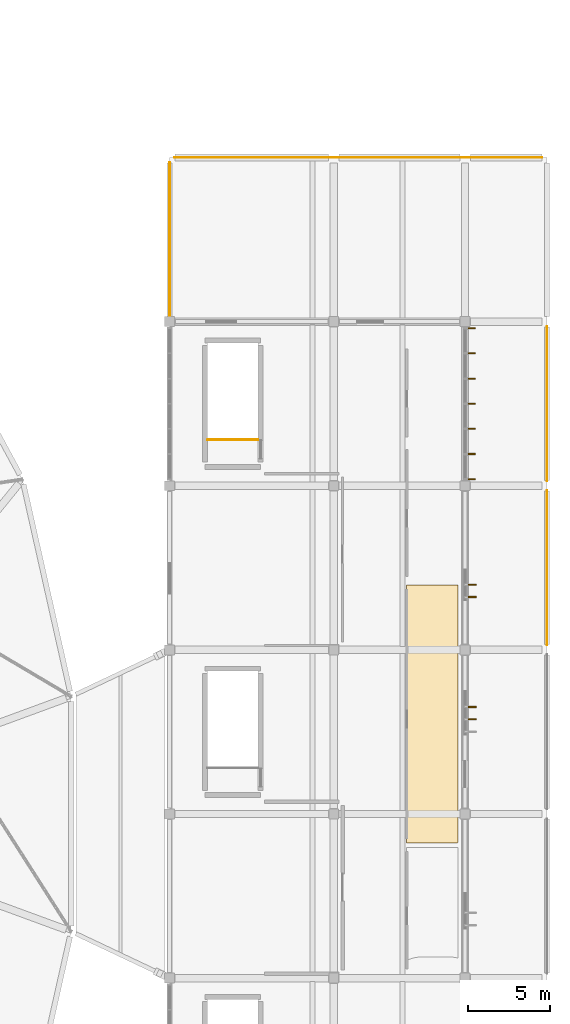
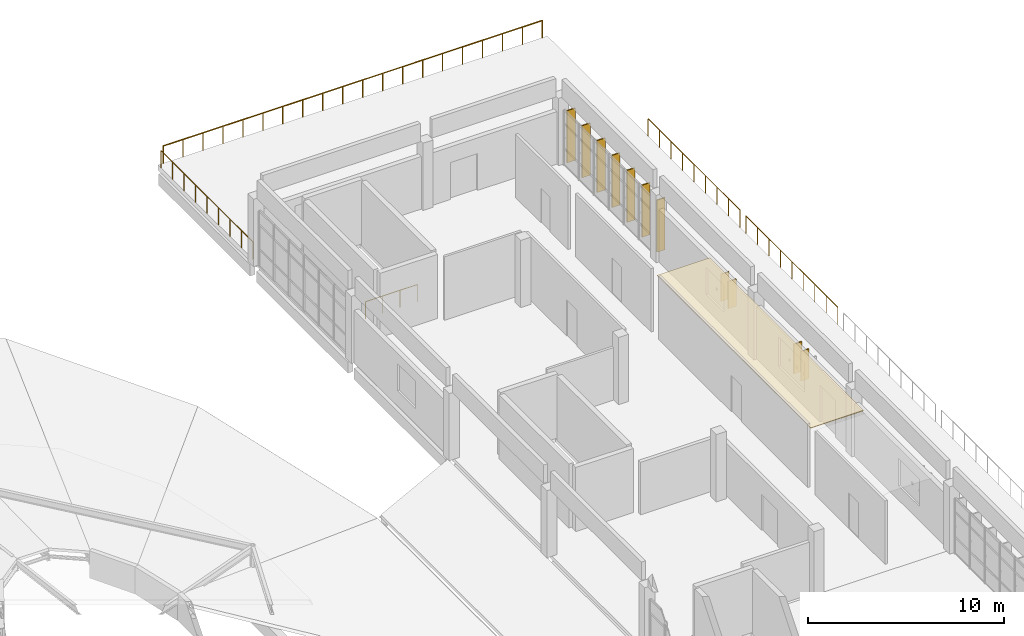
# One storey, part 39 of 39: 11 shading devices, 5 railings, 1 covering.
"""IFC4 building model written with IfcOpenShell, lengths in metres."""

from ifc_helpers import new_model, si_unit, direction, frame, origin, origin_2d, place, context, subcontext, project, spatial, polyline, rectangle, circle, outline, extrude, material, layer, layer_set, type_object, element, save


model = new_model("IFC4")

# Units and contexts
model_context = context("Model", 3, precision=1e-05, world=origin(), true_north=direction((0.0, 1.0)))
body_context = subcontext(model_context, "Body", "Model", "MODEL_VIEW")
ifc_project = project(units=[si_unit("LENGTHUNIT", "METRE"), si_unit("AREAUNIT", "SQUARE_METRE"), si_unit("VOLUMEUNIT", "CUBIC_METRE"), si_unit("PLANEANGLEUNIT", "RADIAN"), si_unit("MASSUNIT", "GRAM", prefix="KILO")], contexts=[model_context])

# Site, building, storey
site_placement = place(None, origin())
site = spatial("IfcSite", under=ifc_project, at=site_placement, CompositionType="ELEMENT")
building_placement = place(site_placement, origin())
building = spatial("IfcBuilding", under=site, at=building_placement, Name="Corvandel Quay Wholesale Market", CompositionType="ELEMENT")
storey_placement = place(building_placement, frame((0.0, 0.0, 15.0)))
storey = spatial("IfcBuildingStorey", under=building, at=storey_placement, Name="L03", CompositionType="ELEMENT", Elevation=15.0)

# Railings
ifc_material_1 = material(Name="Hot-dip galvanised painted steel", Category="steel")
ifc_layer_1 = layer(ifc_material_1, 0.06005859375)
ifc_layer_set_1 = layer_set([ifc_layer_1], Name="Hot-dip galvanised painted steel")
railing_type_1 = type_object("IfcRailingType", Name="Galvanised Steel Guard Balustrade GR01 1100mm", PredefinedType="BALUSTRADE", material=ifc_layer_set_1)
for number, where, name in (
    (1, (243.0, 70.300048828125, 0.0), "Upper Harbour Terrace Guard L03 GR-0047"),
    (2, (243.0, 80.300048828125, 0.0), "Upper Harbour Terrace Guard L03 GR-0048"),
):
    element("IfcRailing", number, at=place(storey_placement, frame(where)), inside=storey, type_object=railing_type_1, Name=name, PredefinedType="BALUSTRADE", context=body_context, shape_type="SweptSolid", body=[
        extrude(circle(Radius=0.02392578125, at=origin_2d()), frame((0.0, 0.0, 1.076171875), z_axis=(0.0, 1.0, 0.0), x_axis=(-1.0, 0.0, 0.0)), (0.0, 0.0, 1.0), 9.39990234375),
        extrude(circle(Radius=0.02099609375, at=origin_2d()), origin(), (0.0, 0.0, 1.0), 1.052001953125),
        extrude(circle(Radius=0.02099609375, at=origin_2d()), frame((0.0, 1.175048828125, 0.0)), (0.0, 0.0, 1.0), 1.052001953125),
        extrude(circle(Radius=0.02099609375, at=origin_2d()), frame((0.0, 2.35009765625, 0.0)), (0.0, 0.0, 1.0), 1.052001953125),
        extrude(circle(Radius=0.02099609375, at=origin_2d()), frame((0.0, 3.52490234375, 0.0)), (0.0, 0.0, 1.0), 1.052001953125),
        extrude(circle(Radius=0.02099609375, at=origin_2d()), frame((0.0, 4.699951171875, 0.0)), (0.0, 0.0, 1.0), 1.052001953125),
        extrude(circle(Radius=0.02099609375, at=origin_2d()), frame((0.0, 5.875, 0.0)), (0.0, 0.0, 1.0), 1.052001953125),
        extrude(circle(Radius=0.02099609375, at=origin_2d()), frame((0.0, 7.0498046875, 0.0)), (0.0, 0.0, 1.0), 1.052001953125),
        extrude(circle(Radius=0.02099609375, at=origin_2d()), frame((0.0, 8.224853515625, 0.0)), (0.0, 0.0, 1.0), 1.052001953125),
        extrude(circle(Radius=0.02099609375, at=origin_2d()), frame((0.0, 9.39990234375, 0.0)), (0.0, 0.0, 1.0), 1.052001953125),
    ])
railing_1_placement = place(storey_placement, frame((220.300048828125, 100.0, 0.0)))
element("IfcRailing", 3, at=railing_1_placement, inside=storey, type_object=railing_type_1, Name="North Setback Terrace Guard L03 GR-0049", PredefinedType="BALUSTRADE", context=body_context, shape_type="SweptSolid", body=[
    extrude(circle(Radius=0.02392578125, at=origin_2d()), frame((0.0, 0.0, 1.076171875), z_axis=(1.0, 0.0, 0.0), x_axis=(0.0, 1.0, 0.0)), (0.0, 0.0, 1.0), 22.39990234375),
    extrude(circle(Radius=0.02099609375, at=origin_2d()), origin(), (0.0, 0.0, 1.0), 1.052001953125),
    extrude(circle(Radius=0.02099609375, at=origin_2d()), frame((1.178955078125, 0.0, 0.0)), (0.0, 0.0, 1.0), 1.052001953125),
    extrude(circle(Radius=0.02099609375, at=origin_2d()), frame((2.35791015625, 0.0, 0.0)), (0.0, 0.0, 1.0), 1.052001953125),
    extrude(circle(Radius=0.02099609375, at=origin_2d()), frame((3.536865234375, 0.0, 0.0)), (0.0, 0.0, 1.0), 1.052001953125),
    extrude(circle(Radius=0.02099609375, at=origin_2d()), frame((4.7158203125, 0.0, 0.0)), (0.0, 0.0, 1.0), 1.052001953125),
    extrude(circle(Radius=0.02099609375, at=origin_2d()), frame((5.894775390625, 0.0, 0.0)), (0.0, 0.0, 1.0), 1.052001953125),
    extrude(circle(Radius=0.02099609375, at=origin_2d()), frame((7.07373046875, 0.0, 0.0)), (0.0, 0.0, 1.0), 1.052001953125),
    extrude(circle(Radius=0.02099609375, at=origin_2d()), frame((8.252685546875, 0.0, 0.0)), (0.0, 0.0, 1.0), 1.052001953125),
    extrude(circle(Radius=0.02099609375, at=origin_2d()), frame((9.431640625, 0.0, 0.0)), (0.0, 0.0, 1.0), 1.052001953125),
    extrude(circle(Radius=0.02099609375, at=origin_2d()), frame((10.610595703125, 0.0, 0.0)), (0.0, 0.0, 1.0), 1.052001953125),
    extrude(circle(Radius=0.02099609375, at=origin_2d()), frame((11.789306640625, 0.0, 0.0)), (0.0, 0.0, 1.0), 1.052001953125),
    extrude(circle(Radius=0.02099609375, at=origin_2d()), frame((12.96826171875, 0.0, 0.0)), (0.0, 0.0, 1.0), 1.052001953125),
    extrude(circle(Radius=0.02099609375, at=origin_2d()), frame((14.147216796875, 0.0, 0.0)), (0.0, 0.0, 1.0), 1.052001953125),
    extrude(circle(Radius=0.02099609375, at=origin_2d()), frame((15.326171875, 0.0, 0.0)), (0.0, 0.0, 1.0), 1.052001953125),
    extrude(circle(Radius=0.02099609375, at=origin_2d()), frame((16.505126953125, 0.0, 0.0)), (0.0, 0.0, 1.0), 1.052001953125),
    extrude(circle(Radius=0.02099609375, at=origin_2d()), frame((17.68408203125, 0.0, 0.0)), (0.0, 0.0, 1.0), 1.052001953125),
    extrude(circle(Radius=0.02099609375, at=origin_2d()), frame((18.863037109375, 0.0, 0.0)), (0.0, 0.0, 1.0), 1.052001953125),
    extrude(circle(Radius=0.02099609375, at=origin_2d()), frame((20.0419921875, 0.0, 0.0)), (0.0, 0.0, 1.0), 1.052001953125),
    extrude(circle(Radius=0.02099609375, at=origin_2d()), frame((21.220947265625, 0.0, 0.0)), (0.0, 0.0, 1.0), 1.052001953125),
    extrude(circle(Radius=0.02099609375, at=origin_2d()), frame((22.39990234375, 0.0, 0.0)), (0.0, 0.0, 1.0), 1.052001953125),
])
railing_2_placement = place(storey_placement, frame((220.0, 90.300048828125, 0.0)))
element("IfcRailing", 4, at=railing_2_placement, inside=storey, type_object=railing_type_1, Name="West Setback Terrace Guard L03 GR-0050", PredefinedType="BALUSTRADE", context=body_context, shape_type="SweptSolid", body=[
    extrude(circle(Radius=0.02392578125, at=origin_2d()), frame((0.0, 0.0, 1.076171875), z_axis=(0.0, 1.0, 0.0), x_axis=(-1.0, 0.0, 0.0)), (0.0, 0.0, 1.0), 9.39990234375),
    extrude(circle(Radius=0.02099609375, at=origin_2d()), origin(), (0.0, 0.0, 1.0), 1.052001953125),
    extrude(circle(Radius=0.02099609375, at=origin_2d()), frame((0.0, 1.175048828125, 0.0)), (0.0, 0.0, 1.0), 1.052001953125),
    extrude(circle(Radius=0.02099609375, at=origin_2d()), frame((0.0, 2.35009765625, 0.0)), (0.0, 0.0, 1.0), 1.052001953125),
    extrude(circle(Radius=0.02099609375, at=origin_2d()), frame((0.0, 3.52490234375, 0.0)), (0.0, 0.0, 1.0), 1.052001953125),
    extrude(circle(Radius=0.02099609375, at=origin_2d()), frame((0.0, 4.699951171875, 0.0)), (0.0, 0.0, 1.0), 1.052001953125),
    extrude(circle(Radius=0.02099609375, at=origin_2d()), frame((0.0, 5.875, 0.0)), (0.0, 0.0, 1.0), 1.052001953125),
    extrude(circle(Radius=0.02099609375, at=origin_2d()), frame((0.0, 7.0498046875, 0.0)), (0.0, 0.0, 1.0), 1.052001953125),
    extrude(circle(Radius=0.02099609375, at=origin_2d()), frame((0.0, 8.224853515625, 0.0)), (0.0, 0.0, 1.0), 1.052001953125),
    extrude(circle(Radius=0.02099609375, at=origin_2d()), frame((0.0, 9.39990234375, 0.0)), (0.0, 0.0, 1.0), 1.052001953125),
])

# Covering
ifc_material_2 = material(Name="Perforated powder-coated aluminium acoustic panel", Category="aluminium")
ifc_layer_2 = layer(ifc_material_2, 0.044921875)
ifc_layer_set_2 = layer_set([ifc_layer_2], Name="Perforated powder-coated aluminium acoustic panel")
covering_type = type_object("IfcCoveringType", Name="Perforated Acoustic Baffle Ceiling CLG01", PredefinedType="CEILING", material=ifc_layer_set_2)
covering_placement = place(storey_placement, frame((0.0, 0.0, 3.81005859375)))
element("IfcCovering", 5, at=covering_placement, inside=storey, type_object=covering_type, Name="Suspended Ceiling CLG-036", PredefinedType="CEILING", context=body_context, shape_type="SweptSolid", body=[
    extrude(outline(polyline([(234.4580078125, 58.239990234375), (234.4560546875, 58.239990234375), (234.4541015625, 58.240966796875), (234.451904296875, 58.241943359375), (234.450927734375, 58.241943359375), (234.448974609375, 58.242919921875), (234.447021484375, 58.2451171875), (234.446044921875, 58.24609375), (234.445068359375, 58.2470703125), (234.443115234375, 58.2490234375), (234.44189453125, 58.2509765625), (234.44189453125, 58.251953125), (234.44091796875, 58.25390625), (234.43994140625, 58.256103515625), (234.43994140625, 58.258056640625), (234.43994140625, 58.260009765625), (234.43994140625, 73.93994140625), (234.43994140625, 73.94189453125), (234.43994140625, 73.944091796875), (234.44091796875, 73.946044921875), (234.44189453125, 73.947998046875), (234.44189453125, 73.948974609375), (234.443115234375, 73.950927734375), (234.445068359375, 73.952880859375), (234.446044921875, 73.9541015625), (234.447021484375, 73.955078125), (234.448974609375, 73.95703125), (234.450927734375, 73.9580078125), (234.451904296875, 73.9580078125), (234.4541015625, 73.958984375), (234.4560546875, 73.9599609375), (234.4580078125, 73.9599609375), (234.4599609375, 73.9599609375), (237.5400390625, 73.9599609375), (237.5419921875, 73.9599609375), (237.5439453125, 73.9599609375), (237.5458984375, 73.958984375), (237.548095703125, 73.9580078125), (237.549072265625, 73.9580078125), (237.551025390625, 73.95703125), (237.552978515625, 73.955078125), (237.553955078125, 73.9541015625), (237.554931640625, 73.952880859375), (237.556884765625, 73.950927734375), (237.55810546875, 73.948974609375), (237.55810546875, 73.947998046875), (237.55908203125, 73.946044921875), (237.56005859375, 73.944091796875), (237.56005859375, 73.94189453125), (237.56005859375, 73.93994140625), (237.56005859375, 58.260009765625), (237.56005859375, 58.258056640625), (237.56005859375, 58.256103515625), (237.55908203125, 58.25390625), (237.55810546875, 58.251953125), (237.55810546875, 58.2509765625), (237.556884765625, 58.2490234375), (237.554931640625, 58.2470703125), (237.553955078125, 58.24609375), (237.552978515625, 58.2451171875), (237.551025390625, 58.242919921875), (237.549072265625, 58.241943359375), (237.548095703125, 58.241943359375), (237.5458984375, 58.240966796875), (237.5439453125, 58.239990234375), (237.5419921875, 58.239990234375), (237.5400390625, 58.239990234375), (234.4599609375, 58.239990234375), (234.4580078125, 58.239990234375)])), origin(), (0.0, 0.0, 1.0), 0.044921875),
])

# Railing
ifc_material_3 = material(Name="Painted galvanised tubular steel", Category="steel")
ifc_layer_3 = layer(ifc_material_3, 0.054931640625)
ifc_layer_set_3 = layer_set([ifc_layer_3], Name="Painted galvanised tubular steel")
railing_type_2 = type_object("IfcRailingType", Name="Stairwell Inner Guard Railing GR02 1100mm", PredefinedType="GUARDRAIL", material=ifc_layer_set_3)
railing_3_placement = place(storey_placement, frame((222.320068359375, 82.800048828125, 0.0)))
element("IfcRailing", 6, at=railing_3_placement, inside=storey, type_object=railing_type_2, Name="Stair Top Well Guard SH20-L03", PredefinedType="GUARDRAIL", context=body_context, shape_type="SweptSolid", body=[
    extrude(circle(Radius=0.02392578125, at=origin_2d()), frame((0.0, 0.0, 1.076171875), z_axis=(1.0, 0.0, 0.0), x_axis=(0.0, 1.0, 0.0)), (0.0, 0.0, 1.0), 3.059814453125),
    extrude(circle(Radius=0.02099609375, at=origin_2d()), origin(), (0.0, 0.0, 1.0), 1.052001953125),
    extrude(circle(Radius=0.02099609375, at=origin_2d()), frame((1.02001953125, 0.0, 0.0)), (0.0, 0.0, 1.0), 1.052001953125),
    extrude(circle(Radius=0.02099609375, at=origin_2d()), frame((2.039794921875, 0.0, 0.0)), (0.0, 0.0, 1.0), 1.052001953125),
    extrude(circle(Radius=0.02099609375, at=origin_2d()), frame((3.059814453125, 0.0, 0.0)), (0.0, 0.0, 1.0), 1.052001953125),
])

# Shading devices
ifc_material_4 = material(Name="Bronze anodised extruded aluminium 6063-T6", Category="aluminium")
shading_device_type = type_object("IfcShadingDeviceType", Name="Vertical Anodised Bronze Solar Fin FN01 480mm", PredefinedType="JALOUSIE", material=ifc_material_4)
for number, where, z_axis, x_axis, name in (
    (7, (238.43994140625, 65.77001953125, 0.89990234375), (0.0, 0.0, 1.0), (1.0, 0.0, 0.0), "Solar Fin 0740"),
    (8, (238.43994140625, 66.52001953125, 0.89990234375), (0.0, 0.0, 1.0), (1.0, 0.0, 0.0), "Solar Fin 0741"),
):
    element("IfcShadingDevice", number, at=place(storey_placement, frame(where, z_axis=z_axis, x_axis=x_axis)), inside=storey, type_object=shading_device_type, Name=name, PredefinedType="JALOUSIE", context=body_context, shape_type="SweptSolid", body=[
        extrude(rectangle(XDim=0.47998046875, YDim=0.06494140625, at=origin_2d()), origin(), (0.0, 0.0, 1.0), 1.85009765625),
    ])
for number, where, z_axis, x_axis, name in (
    (9, (238.43994140625, 73.219970703125, 0.89990234375), (0.0, 0.0, 1.0), (1.0, 0.0, 0.0), "Solar Fin 0742"),
    (10, (238.43994140625, 73.969970703125, 0.89990234375), (0.0, 0.0, 1.0), (1.0, 0.0, 0.0), "Solar Fin 0743"),
):
    element("IfcShadingDevice", number, at=place(storey_placement, frame(where, z_axis=z_axis, x_axis=x_axis)), inside=storey, type_object=shading_device_type, Name=name, PredefinedType="JALOUSIE", context=body_context, shape_type="SweptSolid", body=[
        extrude(rectangle(XDim=0.47998046875, YDim=0.06494140625, at=origin_2d()), origin(), (0.0, 0.0, 1.0), 1.699951171875),
    ])
for number, where, z_axis, x_axis, name in (
    (11, (238.3798828125, 80.39990234375, 0.10009765625), (0.0, 0.0, 1.0), (1.0, 0.0, 0.0), "Solar Fin 0744"),
    (12, (238.3798828125, 81.933349609375, 0.10009765625), (0.0, 0.0, 1.0), (1.0, 0.0, 0.0), "Solar Fin 0745"),
    (13, (238.3798828125, 83.466796875, 0.10009765625), (0.0, 0.0, 1.0), (1.0, 0.0, 0.0), "Solar Fin 0746"),
    (14, (238.3798828125, 85.0, 0.10009765625), (0.0, 0.0, 1.0), (1.0, 0.0, 0.0), "Solar Fin 0747"),
    (15, (238.3798828125, 86.533203125, 0.10009765625), (0.0, 0.0, 1.0), (1.0, 0.0, 0.0), "Solar Fin 0748"),
    (16, (238.3798828125, 88.066650390625, 0.10009765625), (0.0, 0.0, 1.0), (1.0, 0.0, 0.0), "Solar Fin 0749"),
    (17, (238.3798828125, 89.60009765625, 0.10009765625), (0.0, 0.0, 1.0), (1.0, 0.0, 0.0), "Solar Fin 0750"),
):
    element("IfcShadingDevice", number, at=place(storey_placement, frame(where, z_axis=z_axis, x_axis=x_axis)), inside=storey, type_object=shading_device_type, Name=name, PredefinedType="JALOUSIE", context=body_context, shape_type="SweptSolid", body=[
        extrude(rectangle(XDim=0.47998046875, YDim=0.06494140625, at=origin_2d()), origin(), (0.0, 0.0, 1.0), 3.25),
    ])

save(model, "model.ifc")
